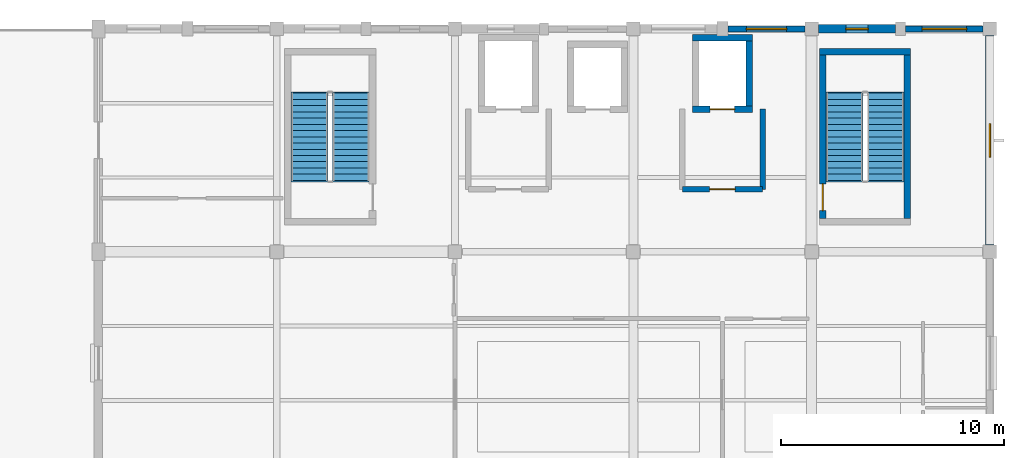
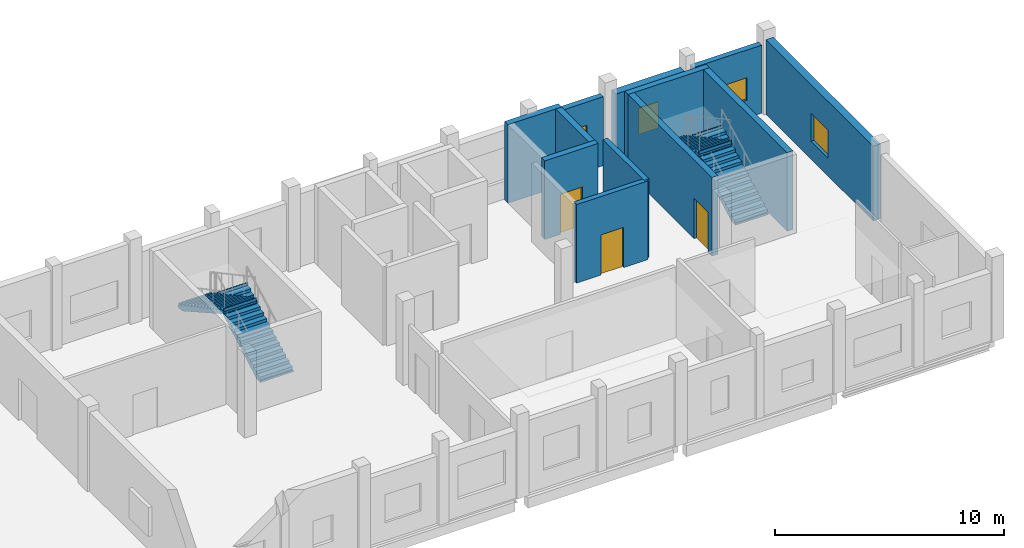
# One storey, part 4 of 6: 12 walls, 4 stair flights, 4 windows, 3 doors, 7 openings, 2 elements without a shape of their own.
"""IFC4 building model written with IfcOpenShell, lengths in metres."""

import ifcopenshell
import ifcopenshell.guid

model = None  # the IFC model being written
_history = None  # IfcOwnerHistory: only IFC2X3 demands one
_inside = {}  # id of a spatial element -> (the spatial element, [elements in it])
_under = {}  # id of a project, library or spatial element -> (it, [spatial elements below it])
_declared = {}  # id of a project -> (the project, [libraries it declares])
_typed = {}  # id of a type object -> (the type object, [elements of that type])
_made_of = {}  # id of a material, layer set ... -> (it, [elements and type objects made of it])


def new_model(schema):
    """Start an empty IFC model of exactly this schema.

    Asked for "IFC4X3", IfcOpenShell would pick the latest addendum, in which some entities
    have other attributes; the version numbers below select the first issue.
    IFC2X3 requires an IfcOwnerHistory on every rooted entity: one is made here for all.
    """
    global model, _history
    if schema == "IFC4X3":
        model = ifcopenshell.file(schema_version=(4, 3, 0, 0))
    else:
        model = ifcopenshell.file(schema=schema)
    _inside.clear()
    _under.clear()
    _declared.clear()
    _typed.clear()
    _made_of.clear()
    _history = None
    if model.schema == "IFC2X3":
        org = make("IfcOrganization", Name="unknown")
        user = make(
            "IfcPersonAndOrganization",
            ThePerson=make("IfcPerson", FamilyName="unknown"),
            TheOrganization=org,
        )
        app = make(
            "IfcApplication",
            ApplicationDeveloper=org,
            Version="unknown",
            ApplicationFullName="unknown",
            ApplicationIdentifier="unknown",
        )
        _history = make(
            "IfcOwnerHistory",
            OwningUser=user,
            OwningApplication=app,
            ChangeAction="ADDED",
            CreationDate=0,
        )
    return model


def make(cls, **values):
    """One entity of the class cls with the attributes given. An attribute that is None is left unset."""
    return model.create_entity(
        cls, **{name: value for name, value in values.items() if value is not None}
    )


def rooted(cls, **values):
    """An entity with a GlobalId (a new one), such as an element, a storey or a relation."""
    return make(cls, GlobalId=ifcopenshell.guid.new(), OwnerHistory=_history, **values)


def si_unit(unit_type, name, prefix=None):
    """IfcSIUnit, for example si_unit("LENGTHUNIT", "METRE", prefix="MILLI")."""
    return make("IfcSIUnit", UnitType=unit_type, Prefix=prefix, Name=name)


def assignment(units):
    """IfcUnitAssignment: the units of a project."""
    return None if units is None else make("IfcUnitAssignment", Units=units)


def point(xyz):
    """IfcCartesianPoint."""
    return None if xyz is None else make("IfcCartesianPoint", Coordinates=xyz)


def direction(xyz):
    """IfcDirection."""
    return None if xyz is None else make("IfcDirection", DirectionRatios=xyz)


def frame(location, z_axis=None, x_axis=None):
    """IfcAxis2Placement3D, a coordinate frame: its origin and axes. An axis left out is left unset."""
    return make(
        "IfcAxis2Placement3D",
        Location=point(location),
        Axis=direction(z_axis),
        RefDirection=direction(x_axis),
    )


def frame_2d(location, x_axis=None):
    """IfcAxis2Placement2D, a coordinate frame in the plane: its origin and x axis."""
    return make(
        "IfcAxis2Placement2D", Location=point(location), RefDirection=direction(x_axis)
    )


def origin():
    """The frame at (0, 0, 0) with its axes left unset."""
    return frame((0.0, 0.0, 0.0))


def place(relative_to, where):
    """IfcLocalPlacement: puts the frame where relative to a parent placement (None: the world)."""
    return make(
        "IfcLocalPlacement", PlacementRelTo=relative_to, RelativePlacement=where
    )


def context(
    kind, dimensions, precision=None, world=None, true_north=None, identifier=None
):
    """IfcGeometricRepresentationContext, for example the 3D "Model" context."""
    return make(
        "IfcGeometricRepresentationContext",
        ContextIdentifier=identifier,
        ContextType=kind,
        CoordinateSpaceDimension=dimensions,
        Precision=precision,
        WorldCoordinateSystem=world,
        TrueNorth=true_north,
    )


def subcontext(parent, identifier, kind, view, scale=None):
    """IfcGeometricRepresentationSubContext, for example "Body" below "Model"."""
    return make(
        "IfcGeometricRepresentationSubContext",
        ContextIdentifier=identifier,
        ContextType=kind,
        ParentContext=parent,
        TargetScale=scale,
        TargetView=view,
    )


def project(units=None, contexts=None):
    """IfcProject with its units and contexts."""
    return rooted(
        "IfcProject",
        Name="project",
        RepresentationContexts=contexts,
        UnitsInContext=assignment(units),
    )


def spatial(cls, under=None, at=None, **own):
    """A site, building, storey or space (cls), placed at a placement, below another one or the project."""
    s = rooted(cls, ObjectPlacement=at, **own)
    if under is not None:
        _under.setdefault(under.id(), (under, []))[1].append(s)
    return s


def polyline(points):
    """IfcPolyline through the points."""
    return make("IfcPolyline", Points=[point(p) for p in points])


def profile(cls, at=None, kind="AREA", **sizes):
    """A parametric profile (cls). Its sizes go by their IFC names, for example OverallWidth=200.0."""
    return make(cls, ProfileType=kind, Position=at, **sizes)


def rectangle(**sizes):
    """IfcRectangleProfileDef."""
    return profile("IfcRectangleProfileDef", **sizes)


def outline(outer, holes=None, kind="AREA"):
    """IfcArbitraryClosedProfileDef: a profile drawn as a closed curve; with holes, ...WithVoids."""
    if holes is None:
        return make("IfcArbitraryClosedProfileDef", ProfileType=kind, OuterCurve=outer)
    return make(
        "IfcArbitraryProfileDefWithVoids",
        ProfileType=kind,
        OuterCurve=outer,
        InnerCurves=holes,
    )


def extrude(swept, where, along, depth):
    """IfcExtrudedAreaSolid: the profile swept, set in the frame where, extruded along a direction by depth."""
    return make(
        "IfcExtrudedAreaSolid",
        SweptArea=swept,
        Position=where,
        ExtrudedDirection=direction(along),
        Depth=depth,
    )


def shape(context_of_items, identifier, shape_type, items):
    """IfcShapeRepresentation: the items that make up one representation, for example the "Body"."""
    return make(
        "IfcShapeRepresentation",
        ContextOfItems=context_of_items,
        RepresentationIdentifier=identifier,
        RepresentationType=shape_type,
        Items=items,
    )


def material(Name=None, Category=None):
    """IfcMaterial."""
    return make("IfcMaterial", Name=Name, Category=Category)


def layer(
    of_material, thickness, ventilated=None, Name=None, Category=None, Priority=None
):
    """IfcMaterialLayer: one layer of a wall or slab, of a material (None: an air gap)."""
    return make(
        "IfcMaterialLayer",
        Material=of_material,
        LayerThickness=thickness,
        IsVentilated=ventilated,
        Name=Name,
        Category=Category,
        Priority=Priority,
    )


def layer_set(layers, Name=None):
    """IfcMaterialLayerSet."""
    return make("IfcMaterialLayerSet", MaterialLayers=layers, LayerSetName=Name)


def made_of(thing, what):
    """Note that an element or type object is made of a material, layer set ...; save() writes the relation."""
    if what is not None:
        _made_of.setdefault(what.id(), (what, []))[1].append(thing)
    return thing


def type_object(cls, material=None, **own):
    """A type object (cls), such as IfcWallType, which elements share."""
    return made_of(rooted(cls, **own), material)


def element(
    cls,
    number,
    at=None,
    inside=None,
    cuts=None,
    type_object=None,
    material=None,
    context=None,
    identifier="Body",
    shape_type=None,
    held_by="IfcProductDefinitionShape",
    body=None,
    shapes=None,
    **own,
):
    """One element of the class cls, such as IfcWall. Its Tag is "e" and its number.

    at: its placement. inside: the storey or other place that contains it. cuts: it is an
    opening in that element (IfcRelVoidsElement). A single representation is given by context,
    identifier, shape_type and body (its items); several are given by shapes. held_by: the class
    of the entity that holds the representations. save() writes the other relations.
    """
    e = rooted(cls, Tag="e%d" % number, ObjectPlacement=at, **own)
    if body is not None:
        shapes = [shape(context, identifier, shape_type, body)]
    if shapes is not None:
        e.Representation = make(held_by, Representations=shapes)
    if inside is not None:
        _inside.setdefault(inside.id(), (inside, []))[1].append(e)
    if cuts is not None:
        rooted(
            "IfcRelVoidsElement", RelatingBuildingElement=cuts, RelatedOpeningElement=e
        )
    if type_object is not None:
        _typed.setdefault(type_object.id(), (type_object, []))[1].append(e)
    return made_of(e, material)


def fill(opening, filler):
    """IfcRelFillsElement: the door or window that sits in an opening."""
    return rooted(
        "IfcRelFillsElement",
        RelatingOpeningElement=opening,
        RelatedBuildingElement=filler,
    )


def aggregate(whole, parts):
    """IfcRelAggregates: a whole, such as a stair, and the parts it consists of."""
    return rooted("IfcRelAggregates", RelatingObject=whole, RelatedObjects=parts)


def save(model, path):
    """Write the relations noted so far, then the file.

    IfcRelAggregates (storeys below a building ...), IfcRelContainedInSpatialStructure (elements
    in a storey), IfcRelDefinesByType, IfcRelAssociatesMaterial and IfcRelDeclares: one each for
    every whole, place, type object, material and project.
    """
    for whole, parts in _under.values():
        aggregate(whole, parts)
    for where, things in _inside.values():
        rooted(
            "IfcRelContainedInSpatialStructure",
            RelatedElements=things,
            RelatingStructure=where,
        )
    for kind, things in _typed.values():
        rooted("IfcRelDefinesByType", RelatedObjects=things, RelatingType=kind)
    for what, things in _made_of.values():
        rooted("IfcRelAssociatesMaterial", RelatedObjects=things, RelatingMaterial=what)
    for by, libraries in _declared.values():
        rooted("IfcRelDeclares", RelatingContext=by, RelatedDefinitions=libraries)
    model.write(path)


model = new_model("IFC4")

# Units and contexts
model_context = context("Model", 3, precision=1e-05, world=origin(), true_north=direction((0.0, 1.0)))
body_context = subcontext(model_context, "Body", "Model", "MODEL_VIEW")
ifc_project = project(units=[si_unit("LENGTHUNIT", "METRE"), si_unit("AREAUNIT", "SQUARE_METRE"), si_unit("VOLUMEUNIT", "CUBIC_METRE"), si_unit("PLANEANGLEUNIT", "RADIAN"), si_unit("MASSUNIT", "GRAM", prefix="KILO")], contexts=[model_context])

# Site, building, storey
site_placement = place(None, origin())
site = spatial("IfcSite", under=ifc_project, at=site_placement, CompositionType="ELEMENT")
building_placement = place(site_placement, origin())
building = spatial("IfcBuilding", under=site, at=building_placement, Name="Luwemba Playhouse", CompositionType="ELEMENT")
storey_placement = place(building_placement, frame((0.0, 0.0, 18.300048828125)))
storey = spatial("IfcBuildingStorey", under=building, at=storey_placement, Name="L04", CompositionType="ELEMENT", Elevation=18.300048828125)

# Wall, opening, window
ifc_material_1 = material(Name="Clay facing brick obra vista masonry", Category="masonry")
ifc_layer_1 = layer(ifc_material_1, 0.3798828125)
ifc_layer_set_1 = layer_set([ifc_layer_1], Name="Clay facing brick obra vista masonry")
wall_type_1 = type_object("IfcWallType", Name="WAL-BRK-380", PredefinedType="SOLIDWALL", material=ifc_layer_set_1)
wall_1_placement = place(storey_placement, frame((164.300048828125, 115.0, 0.0), z_axis=(0.0, 0.0, 1.0), x_axis=(1.0, 0.0, 0.0)))
wall_1 = element("IfcWall", 1, at=wall_1_placement, inside=storey, type_object=wall_type_1, Name="L04 V6E exterior facade wall 0486", PredefinedType="SOLIDWALL", context=body_context, shape_type="SweptSolid", body=[
    extrude(rectangle(XDim=3.474853515625, YDim=0.3798828125, at=frame_2d((1.7373046875, 0.0))), origin(), (0.0, 0.0, 1.0), 3.635009765625),
])
opening_1_placement = place(wall_1_placement, frame((1.237548828125, 0.0, 0.949951171875)))
opening_1 = element("IfcOpeningElement", 2, at=opening_1_placement, cuts=wall_1, Name="Opening WN-13", PredefinedType="OPENING", context=body_context, shape_type="SweptSolid", body=[
    extrude(rectangle(XDim=1.0, YDim=1.39990234375, at=frame_2d((0.5, 0.699951171875))), frame((0.0, 0.199951171875, 0.0), z_axis=(0.0, -1.0, 0.0), x_axis=(1.0, 0.0, 0.0)), (0.0, 0.0, 1.0), 0.39990234375),
])
ifc_material_2 = material(Name="Solar-control double glazing in aluminium frame", Category="aluminium")
window_type_1 = type_object("IfcWindowType", Name="WIN-WN-13", PartitioningType="SINGLE_PANEL", PredefinedType="WINDOW", material=ifc_material_2)
window_1_placement = place(opening_1_placement, origin())
window_1 = element("IfcWindow", 3, at=window_1_placement, inside=storey, type_object=window_type_1, Name="L04 V6E scheduled window 0425", OverallHeight=1.39990234375, OverallWidth=1.0, PartitioningType="SINGLE_PANEL", PredefinedType="WINDOW", context=body_context, shape_type="SweptSolid", body=[
    extrude(rectangle(XDim=1.0, YDim=1.39990234375, at=frame_2d((0.5, 0.699951171875))), frame((0.0, 0.030029296875, 0.0), z_axis=(0.0, -1.0, 0.0), x_axis=(1.0, 0.0, 0.0)), (0.0, 0.0, 1.0), 0.06005859375),
])
fill(opening_1, window_1)

wall_2_placement = place(storey_placement, frame((172.0, 114.699951171875, 0.0), z_axis=(0.0, 0.0, 1.0), x_axis=(0.0, -1.0, 0.0)))
wall_2 = element("IfcWall", 4, at=wall_2_placement, inside=storey, type_object=wall_type_1, Name="L04 V6E exterior facade wall 0488", PredefinedType="SOLIDWALL", context=body_context, shape_type="SweptSolid", body=[
    extrude(rectangle(XDim=9.39990234375, YDim=0.3798828125, at=frame_2d((4.699951171875, 0.0))), origin(), (0.0, 0.0, 1.0), 3.98486328125),
])
opening_2_placement = place(wall_2_placement, frame((3.949951171875, 0.0, 0.949951171875)))
opening_2 = element("IfcOpeningElement", 5, at=opening_2_placement, cuts=wall_2, Name="Opening WN-09", PredefinedType="OPENING", context=body_context, shape_type="SweptSolid", body=[
    extrude(rectangle(XDim=1.5, YDim=1.5, at=frame_2d((0.75, 0.75))), frame((0.0, 0.199951171875, 0.0), z_axis=(0.0, -1.0, 0.0), x_axis=(1.0, 0.0, 0.0)), (0.0, 0.0, 1.0), 0.39990234375),
])
window_type_2 = type_object("IfcWindowType", Name="WIN-WN-09", PartitioningType="DOUBLE_PANEL_VERTICAL", PredefinedType="WINDOW", material=ifc_material_2)
window_2_placement = place(opening_2_placement, origin())
window_2 = element("IfcWindow", 6, at=window_2_placement, inside=storey, type_object=window_type_2, Name="L04 V6E scheduled window 0427", OverallHeight=1.5, OverallWidth=1.5, PartitioningType="DOUBLE_PANEL_VERTICAL", PredefinedType="WINDOW", context=body_context, shape_type="SweptSolid", body=[
    extrude(rectangle(XDim=1.5, YDim=1.5, at=frame_2d((0.75, 0.75))), frame((0.0, 0.030029296875, 0.0), z_axis=(0.0, -1.0, 0.0), x_axis=(1.0, 0.0, 0.0)), (0.0, 0.0, 1.0), 0.06005859375),
])
fill(opening_2, window_2)

# Wall
ifc_material_3 = material(Name="Concrete C40/50", Category="concrete")
ifc_layer_2 = layer(ifc_material_3, 0.300048828125)
ifc_layer_set_2 = layer_set([ifc_layer_2], Name="Concrete C40/50")
wall_type_2 = type_object("IfcWallType", Name="WAL-CORE-300", PredefinedType="SHEAR", material=ifc_layer_set_2)
wall_3_placement = place(storey_placement, frame((168.449951171875, 113.969970703125, 0.0), z_axis=(0.0, 0.0, 1.0), x_axis=(-1.0, 0.0, 0.0)))
element("IfcWall", 7, at=wall_3_placement, inside=storey, type_object=wall_type_2, Name="L04 ST-10 stair core wall N", PredefinedType="SHEAR", context=body_context, shape_type="SweptSolid", body=[
    extrude(rectangle(XDim=4.099853515625, YDim=0.300048828125, at=frame_2d((2.0498046875, 0.0))), origin(), (0.0, 0.0, 1.0), 4.199951171875),
])

# Wall, opening, door
wall_4_placement = place(storey_placement, frame((164.5, 113.820068359375, 0.0), z_axis=(0.0, 0.0, 1.0), x_axis=(0.0, -1.0, 0.0)))
wall_4 = element("IfcWall", 8, at=wall_4_placement, inside=storey, type_object=wall_type_2, Name="L04 ST-10 stair core wall W", PredefinedType="SHEAR", context=body_context, shape_type="SweptSolid", body=[
    extrude(rectangle(XDim=7.320068359375, YDim=0.300048828125, at=frame_2d((3.66015625, 0.0))), origin(), (0.0, 0.0, 1.0), 4.199951171875),
])
opening_3_placement = place(wall_4_placement, frame((5.77001953125, 0.0, 0.0)))
opening_3 = element("IfcOpeningElement", 9, at=opening_3_placement, cuts=wall_4, Name="Opening D-STAIR3", PredefinedType="OPENING", context=body_context, shape_type="SweptSolid", body=[
    extrude(rectangle(XDim=1.199951171875, YDim=2.14990234375, at=frame_2d((0.60009765625, 1.074951171875))), frame((0.0, 0.159912109375, 0.0), z_axis=(0.0, -1.0, 0.0), x_axis=(1.0, 0.0, 0.0)), (0.0, 0.0, 1.0), 0.320068359375),
])
ifc_material_4 = material(Name="Hardwood acoustic fire door leaf", Category="wood")
door_type_1 = type_object("IfcDoorType", Name="DR-STAIR-120", OperationType="NOTDEFINED", PredefinedType="DOOR", material=ifc_material_4)
door_1_placement = place(opening_3_placement, origin())
door_1 = element("IfcDoor", 10, at=door_1_placement, inside=storey, type_object=door_type_1, Name="L04 ST-10 protected stair entry door", OperationType="SINGLE_SWING_RIGHT", OverallHeight=2.14990234375, OverallWidth=1.199951171875, PredefinedType="DOOR", context=body_context, shape_type="SweptSolid", body=[
    extrude(rectangle(XDim=1.199951171875, YDim=2.14990234375, at=frame_2d((0.60009765625, 1.074951171875))), frame((0.0, 0.02490234375, 0.0), z_axis=(0.0, -1.0, 0.0), x_axis=(1.0, 0.0, 0.0)), (0.0, 0.0, 1.0), 0.050048828125),
])
fill(opening_3, door_1)

# Wall
wall_5_placement = place(storey_placement, frame((168.300048828125, 113.820068359375, 0.0), z_axis=(0.0, 0.0, 1.0), x_axis=(0.0, -1.0, 0.0)))
element("IfcWall", 11, at=wall_5_placement, inside=storey, type_object=wall_type_2, Name="L04 ST-10 stair core wall E", PredefinedType="SHEAR", context=body_context, shape_type="SweptSolid", body=[
    extrude(rectangle(XDim=7.320068359375, YDim=0.300048828125, at=frame_2d((3.66015625, 0.0))), origin(), (0.0, 0.0, 1.0), 4.199951171875),
])

# Wall, opening, door
wall_6_placement = place(storey_placement, frame((158.64990234375, 111.39990234375, 0.0), z_axis=(0.0, 0.0, 1.0), x_axis=(1.0, 0.0, 0.0)))
wall_6 = element("IfcWall", 12, at=wall_6_placement, inside=storey, type_object=wall_type_2, Name="L04 Lift LF-FF2 shaft wall S", PredefinedType="SHEAR", context=body_context, shape_type="SweptSolid", body=[
    extrude(rectangle(XDim=2.7001953125, YDim=0.300048828125, at=frame_2d((1.35009765625, 0.0))), origin(), (0.0, 0.0, 1.0), 4.199951171875),
])
opening_4_placement = place(wall_6_placement, frame((0.800048828125, 0.0, 0.0)))
opening_4 = element("IfcOpeningElement", 13, at=opening_4_placement, cuts=wall_6, Name="Opening LD-01", PredefinedType="OPENING", context=body_context, shape_type="SweptSolid", body=[
    extrude(rectangle(XDim=1.10009765625, YDim=2.14990234375, at=frame_2d((0.550048828125, 1.074951171875))), frame((0.0, 0.159912109375, 0.0), z_axis=(0.0, -1.0, 0.0), x_axis=(1.0, 0.0, 0.0)), (0.0, 0.0, 1.0), 0.320068359375),
])
ifc_material_5 = material(Name="Stainless steel lift landing doors", Category="steel")
door_type_2 = type_object("IfcDoorType", Name="DR-LIFT-110", OperationType="NOTDEFINED", PredefinedType="DOOR", material=ifc_material_5)
door_2_placement = place(opening_4_placement, origin())
door_2 = element("IfcDoor", 14, at=door_2_placement, inside=storey, type_object=door_type_2, Name="L04 Lift LF-FF2 landing door", OperationType="DOUBLE_DOOR_SLIDING", OverallHeight=2.14990234375, OverallWidth=1.10009765625, PredefinedType="DOOR", context=body_context, shape_type="SweptSolid", body=[
    extrude(rectangle(XDim=1.10009765625, YDim=2.14990234375, at=frame_2d((0.550048828125, 1.074951171875))), frame((0.0, 0.02490234375, 0.0), z_axis=(0.0, -1.0, 0.0), x_axis=(1.0, 0.0, 0.0)), (0.0, 0.0, 1.0), 0.050048828125),
])
fill(opening_4, door_2)

# Walls
wall_7_placement = place(storey_placement, frame((161.35009765625, 114.60009765625, 0.0), z_axis=(0.0, 0.0, 1.0), x_axis=(-1.0, 0.0, 0.0)))
element("IfcWall", 15, at=wall_7_placement, inside=storey, type_object=wall_type_2, Name="L04 Lift LF-FF2 shaft wall N", PredefinedType="SHEAR", context=body_context, shape_type="SweptSolid", body=[
    extrude(rectangle(XDim=2.7001953125, YDim=0.300048828125, at=frame_2d((1.35009765625, 0.0))), origin(), (0.0, 0.0, 1.0), 4.199951171875),
])
wall_8_placement = place(storey_placement, frame((161.199951171875, 114.449951171875, 0.0), z_axis=(0.0, 0.0, 1.0), x_axis=(0.0, -1.0, 0.0)))
element("IfcWall", 16, at=wall_8_placement, inside=storey, type_object=wall_type_2, Name="L04 Lift LF-FF2 shaft wall E", PredefinedType="SHEAR", context=body_context, shape_type="SweptSolid", body=[
    extrude(rectangle(XDim=2.89990234375, YDim=0.300048828125, at=frame_2d((1.449951171875, 0.0))), origin(), (0.0, 0.0, 1.0), 4.199951171875),
])

# Wall, opening, door
ifc_layer_3 = layer(ifc_material_3, 0.25)
ifc_layer_set_3 = layer_set([ifc_layer_3], Name="Concrete C40/50")
wall_type_3 = type_object("IfcWallType", Name="WAL-FFL-250", PredefinedType="SOLIDWALL", material=ifc_layer_set_3)
wall_9_placement = place(storey_placement, frame((161.800048828125, 107.800048828125, 0.0), z_axis=(0.0, 0.0, 1.0), x_axis=(-1.0, 0.0, 0.0)))
wall_9 = element("IfcWall", 17, at=wall_9_placement, inside=storey, type_object=wall_type_3, Name="L04 LF-FF2 firefighting lift lobby wall S", PredefinedType="SOLIDWALL", context=body_context, shape_type="SweptSolid", body=[
    extrude(rectangle(XDim=3.60009765625, YDim=0.25, at=frame_2d((1.800048828125, 0.0))), origin(), (0.0, 0.0, 1.0), 4.199951171875),
])
opening_5_placement = place(wall_9_placement, frame((1.22509765625, 0.0, 0.0)))
opening_5 = element("IfcOpeningElement", 18, at=opening_5_placement, cuts=wall_9, Name="Opening D-FD60", PredefinedType="OPENING", context=body_context, shape_type="SweptSolid", body=[
    extrude(rectangle(XDim=1.14990234375, YDim=2.14990234375, at=frame_2d((0.574951171875, 1.074951171875))), frame((0.0, 0.135009765625, 0.0), z_axis=(0.0, -1.0, 0.0), x_axis=(1.0, 0.0, 0.0)), (0.0, 0.0, 1.0), 0.27001953125),
])
ifc_material_6 = material(Name="Hardwood smoke-sealed fire door leaf", Category="wood")
door_type_3 = type_object("IfcDoorType", Name="DR-FFL-115", OperationType="NOTDEFINED", PredefinedType="DOOR", material=ifc_material_6)
door_3_placement = place(opening_5_placement, origin())
door_3 = element("IfcDoor", 19, at=door_3_placement, inside=storey, type_object=door_type_3, Name="L04 LF-FF2 firefighting lobby smoke door", OperationType="SINGLE_SWING_LEFT", OverallHeight=2.14990234375, OverallWidth=1.14990234375, PredefinedType="DOOR", context=body_context, shape_type="SweptSolid", body=[
    extrude(rectangle(XDim=1.14990234375, YDim=2.14990234375, at=frame_2d((0.574951171875, 1.074951171875))), frame((0.0, 0.02490234375, 0.0), z_axis=(0.0, -1.0, 0.0), x_axis=(1.0, 0.0, 0.0)), (0.0, 0.0, 1.0), 0.050048828125),
])
fill(opening_5, door_3)

# Wall
wall_10_placement = place(storey_placement, frame((161.800048828125, 111.39990234375, 0.0), z_axis=(0.0, 0.0, 1.0), x_axis=(0.0, -1.0, 0.0)))
element("IfcWall", 20, at=wall_10_placement, inside=storey, type_object=wall_type_3, Name="L04 LF-FF2 firefighting lift lobby wall E", PredefinedType="SOLIDWALL", context=body_context, shape_type="SweptSolid", body=[
    extrude(rectangle(XDim=3.599853515625, YDim=0.25, at=frame_2d((1.7998046875, 0.0))), origin(), (0.0, 0.0, 1.0), 4.199951171875),
])

# Wall, opening, window
ifc_material_7 = material(Name="Structural timber GL24h infill", Category="wood")
ifc_layer_4 = layer(ifc_material_7, 0.280029296875)
ifc_layer_set_4 = layer_set([ifc_layer_4], Name="Structural timber GL24h infill")
wall_type_4 = type_object("IfcWallType", Name="WAL-TIM-280", PredefinedType="SOLIDWALL", material=ifc_layer_set_4)
wall_11_placement = place(storey_placement, frame((160.25, 115.0, 0.0), z_axis=(0.0, 0.0, 1.0), x_axis=(1.0, 0.0, 0.0)))
wall_11 = element("IfcWall", 21, at=wall_11_placement, inside=storey, type_object=wall_type_4, Name="L04 V6E exterior facade wall 0485", PredefinedType="SOLIDWALL", context=body_context, shape_type="SweptSolid", body=[
    extrude(rectangle(XDim=3.449951171875, YDim=0.280029296875, at=frame_2d((1.72509765625, 0.0))), origin(), (0.0, 0.0, 1.0), 3.68505859375),
])
opening_6_placement = place(wall_11_placement, frame((0.824951171875, 0.0, 0.949951171875)))
opening_6 = element("IfcOpeningElement", 22, at=opening_6_placement, cuts=wall_11, Name="Opening WN-10", PredefinedType="OPENING", context=body_context, shape_type="SweptSolid", body=[
    extrude(rectangle(XDim=1.800048828125, YDim=1.5, at=frame_2d((0.89990234375, 0.75))), frame((0.0, 0.14990234375, 0.0), z_axis=(0.0, -1.0, 0.0), x_axis=(1.0, 0.0, 0.0)), (0.0, 0.0, 1.0), 0.300048828125),
])
window_type_3 = type_object("IfcWindowType", Name="WIN-WN-10", PartitioningType="DOUBLE_PANEL_VERTICAL", PredefinedType="WINDOW", material=ifc_material_2)
window_3_placement = place(opening_6_placement, origin())
window_3 = element("IfcWindow", 23, at=window_3_placement, inside=storey, type_object=window_type_3, Name="L04 V6E scheduled window 0424", OverallHeight=1.5, OverallWidth=1.800048828125, PartitioningType="DOUBLE_PANEL_VERTICAL", PredefinedType="WINDOW", context=body_context, shape_type="SweptSolid", body=[
    extrude(rectangle(XDim=1.800048828125, YDim=1.5, at=frame_2d((0.89990234375, 0.75))), frame((0.0, 0.030029296875, 0.0), z_axis=(0.0, -1.0, 0.0), x_axis=(1.0, 0.0, 0.0)), (0.0, 0.0, 1.0), 0.06005859375),
])
fill(opening_6, window_3)

wall_12_placement = place(storey_placement, frame((168.22509765625, 115.0, 0.0), z_axis=(0.0, 0.0, 1.0), x_axis=(1.0, 0.0, 0.0)))
wall_12 = element("IfcWall", 24, at=wall_12_placement, inside=storey, type_object=wall_type_4, Name="L04 V6E exterior facade wall 0487", PredefinedType="SOLIDWALL", context=body_context, shape_type="SweptSolid", body=[
    extrude(rectangle(XDim=3.474853515625, YDim=0.280029296875, at=frame_2d((1.7373046875, 0.0))), origin(), (0.0, 0.0, 1.0), 3.635009765625),
])
opening_7_placement = place(wall_12_placement, frame((0.737548828125, 0.0, 0.949951171875)))
opening_7 = element("IfcOpeningElement", 25, at=opening_7_placement, cuts=wall_12, Name="Opening WN-16", PredefinedType="OPENING", context=body_context, shape_type="SweptSolid", body=[
    extrude(rectangle(XDim=2.0, YDim=1.199951171875, at=frame_2d((1.0, 0.60009765625))), frame((0.0, 0.14990234375, 0.0), z_axis=(0.0, -1.0, 0.0), x_axis=(1.0, 0.0, 0.0)), (0.0, 0.0, 1.0), 0.300048828125),
])
window_type_4 = type_object("IfcWindowType", Name="WIN-WN-16", PartitioningType="DOUBLE_PANEL_HORIZONTAL", PredefinedType="WINDOW", material=ifc_material_2)
window_4_placement = place(opening_7_placement, origin())
window_4 = element("IfcWindow", 26, at=window_4_placement, inside=storey, type_object=window_type_4, Name="L04 V6E scheduled window 0426", OverallHeight=1.199951171875, OverallWidth=2.0, PartitioningType="DOUBLE_PANEL_HORIZONTAL", PredefinedType="WINDOW", context=body_context, shape_type="SweptSolid", body=[
    extrude(rectangle(XDim=2.0, YDim=1.199951171875, at=frame_2d((1.0, 0.60009765625))), frame((0.0, 0.030029296875, 0.0), z_axis=(0.0, -1.0, 0.0), x_axis=(1.0, 0.0, 0.0)), (0.0, 0.0, 1.0), 0.06005859375),
])
fill(opening_7, window_4)

# Stair, stair flights
stair_type = type_object("IfcStairType", Name="STR-DL-04", PredefinedType="HALF_TURN_STAIR", material=ifc_material_3)
stair_1_placement = place(storey_placement, origin())
stair_1 = element("IfcStair", 27, at=stair_1_placement, inside=storey, type_object=stair_type, Name="L04 Conservatory Firefighting Escape Stair", PredefinedType="HALF_TURN_STAIR")
stair_flight_type = type_object("IfcStairFlightType", Name="SFL-DL-04", PredefinedType="STRAIGHT", material=ifc_material_3)
stair_flight_1_placement = place(storey_placement, frame((143.324951171875, 108.199951171875, 0.0), z_axis=(0.0, 0.0, 1.0), x_axis=(0.0, 1.0, 0.0)))
stair_flight_1 = element("IfcStairFlight", 28, at=stair_flight_1_placement, type_object=stair_flight_type, Name="ST-09 flight 1", NumberOfRisers=15, NumberOfTreads=14, PredefinedType="STRAIGHT", RiserHeight=0.15, TreadLength=0.28, context=body_context, shape_type="SweptSolid", body=[
    extrude(outline(polyline([(-0.06005859375, -0.10009765625), (-0.06005859375, 0.0), (0.0, 0.0), (0.0, 0.14990234375), (0.280029296875, 0.14990234375), (0.280029296875, 0.300048828125), (0.56005859375, 0.300048828125), (0.56005859375, 0.449951171875), (0.840087890625, 0.449951171875), (0.840087890625, 0.60009765625), (1.1201171875, 0.60009765625), (1.1201171875, 0.75), (1.39990234375, 0.75), (1.39990234375, 0.89990234375), (1.679931640625, 0.89990234375), (1.679931640625, 1.050048828125), (1.9599609375, 1.050048828125), (1.9599609375, 1.199951171875), (2.239990234375, 1.199951171875), (2.239990234375, 1.35009765625), (2.52001953125, 1.35009765625), (2.52001953125, 1.5), (2.800048828125, 1.5), (2.800048828125, 1.64990234375), (3.080078125, 1.64990234375), (3.080078125, 1.800048828125), (3.360107421875, 1.800048828125), (3.360107421875, 1.949951171875), (3.639892578125, 1.949951171875), (3.639892578125, 2.10009765625), (3.919921875, 2.10009765625), (3.919921875, 2.25), (3.97998046875, 2.25), (3.97998046875, 2.090087890625), (3.919921875, 1.929931640625), (0.3173828125, -0.10009765625), (-0.06005859375, -0.10009765625)])), frame((0.0, 0.824951171875, 0.0), z_axis=(0.0, -1.0, 0.0), x_axis=(1.0, 0.0, 0.0)), (0.0, 0.0, 1.0), 1.64990234375),
])
stair_flight_2_placement = place(storey_placement, frame((141.47509765625, 112.1201171875, 2.25), z_axis=(0.0, 0.0, 1.0), x_axis=(0.0, -1.0, 0.0)))
stair_flight_2 = element("IfcStairFlight", 29, at=stair_flight_2_placement, type_object=stair_flight_type, Name="ST-09 flight 2", NumberOfRisers=15, NumberOfTreads=14, PredefinedType="STRAIGHT", RiserHeight=0.15, TreadLength=0.28, context=body_context, shape_type="SweptSolid", body=[
    extrude(outline(polyline([(-0.06005859375, -0.10009765625), (-0.06005859375, 0.0), (0.0, 0.0), (0.0, 0.14990234375), (0.280029296875, 0.14990234375), (0.280029296875, 0.300048828125), (0.56005859375, 0.300048828125), (0.56005859375, 0.449951171875), (0.840087890625, 0.449951171875), (0.840087890625, 0.60009765625), (1.1201171875, 0.60009765625), (1.1201171875, 0.75), (1.39990234375, 0.75), (1.39990234375, 0.89990234375), (1.679931640625, 0.89990234375), (1.679931640625, 1.050048828125), (1.9599609375, 1.050048828125), (1.9599609375, 1.199951171875), (2.239990234375, 1.199951171875), (2.239990234375, 1.35009765625), (2.52001953125, 1.35009765625), (2.52001953125, 1.5), (2.800048828125, 1.5), (2.800048828125, 1.64990234375), (3.080078125, 1.64990234375), (3.080078125, 1.800048828125), (3.360107421875, 1.800048828125), (3.360107421875, 1.949951171875), (3.639892578125, 1.949951171875), (3.639892578125, 2.10009765625), (3.919921875, 2.10009765625), (3.919921875, 2.25), (3.97998046875, 2.25), (3.97998046875, 2.090087890625), (3.919921875, 1.929931640625), (0.3173828125, -0.10009765625), (-0.06005859375, -0.10009765625)])), frame((0.0, 0.824951171875, 0.0), z_axis=(0.0, -1.0, 0.0), x_axis=(1.0, 0.0, 0.0)), (0.0, 0.0, 1.0), 1.64990234375),
])
aggregate(stair_1, [stair_flight_1, stair_flight_2])

stair_2_placement = place(storey_placement, origin())
stair_2 = element("IfcStair", 30, at=stair_2_placement, inside=storey, type_object=stair_type, Name="L04 Conservatory East Escape Stair", PredefinedType="HALF_TURN_STAIR")
stair_flight_3_placement = place(storey_placement, frame((167.324951171875, 108.199951171875, 0.0), z_axis=(0.0, 0.0, 1.0), x_axis=(0.0, 1.0, 0.0)))
stair_flight_3 = element("IfcStairFlight", 31, at=stair_flight_3_placement, type_object=stair_flight_type, Name="ST-10 flight 1", NumberOfRisers=15, NumberOfTreads=14, PredefinedType="STRAIGHT", RiserHeight=0.15, TreadLength=0.28, context=body_context, shape_type="SweptSolid", body=[
    extrude(outline(polyline([(-0.06005859375, -0.10009765625), (-0.06005859375, 0.0), (0.0, 0.0), (0.0, 0.14990234375), (0.280029296875, 0.14990234375), (0.280029296875, 0.300048828125), (0.56005859375, 0.300048828125), (0.56005859375, 0.449951171875), (0.840087890625, 0.449951171875), (0.840087890625, 0.60009765625), (1.1201171875, 0.60009765625), (1.1201171875, 0.75), (1.39990234375, 0.75), (1.39990234375, 0.89990234375), (1.679931640625, 0.89990234375), (1.679931640625, 1.050048828125), (1.9599609375, 1.050048828125), (1.9599609375, 1.199951171875), (2.239990234375, 1.199951171875), (2.239990234375, 1.35009765625), (2.52001953125, 1.35009765625), (2.52001953125, 1.5), (2.800048828125, 1.5), (2.800048828125, 1.64990234375), (3.080078125, 1.64990234375), (3.080078125, 1.800048828125), (3.360107421875, 1.800048828125), (3.360107421875, 1.949951171875), (3.639892578125, 1.949951171875), (3.639892578125, 2.10009765625), (3.919921875, 2.10009765625), (3.919921875, 2.25), (3.97998046875, 2.25), (3.97998046875, 2.090087890625), (3.919921875, 1.929931640625), (0.3173828125, -0.10009765625), (-0.06005859375, -0.10009765625)])), frame((0.0, 0.824951171875, 0.0), z_axis=(0.0, -1.0, 0.0), x_axis=(1.0, 0.0, 0.0)), (0.0, 0.0, 1.0), 1.64990234375),
])
stair_flight_4_placement = place(storey_placement, frame((165.47509765625, 112.1201171875, 2.25), z_axis=(0.0, 0.0, 1.0), x_axis=(0.0, -1.0, 0.0)))
stair_flight_4 = element("IfcStairFlight", 32, at=stair_flight_4_placement, type_object=stair_flight_type, Name="ST-10 flight 2", NumberOfRisers=15, NumberOfTreads=14, PredefinedType="STRAIGHT", RiserHeight=0.15, TreadLength=0.28, context=body_context, shape_type="SweptSolid", body=[
    extrude(outline(polyline([(-0.06005859375, -0.10009765625), (-0.06005859375, 0.0), (0.0, 0.0), (0.0, 0.14990234375), (0.280029296875, 0.14990234375), (0.280029296875, 0.300048828125), (0.56005859375, 0.300048828125), (0.56005859375, 0.449951171875), (0.840087890625, 0.449951171875), (0.840087890625, 0.60009765625), (1.1201171875, 0.60009765625), (1.1201171875, 0.75), (1.39990234375, 0.75), (1.39990234375, 0.89990234375), (1.679931640625, 0.89990234375), (1.679931640625, 1.050048828125), (1.9599609375, 1.050048828125), (1.9599609375, 1.199951171875), (2.239990234375, 1.199951171875), (2.239990234375, 1.35009765625), (2.52001953125, 1.35009765625), (2.52001953125, 1.5), (2.800048828125, 1.5), (2.800048828125, 1.64990234375), (3.080078125, 1.64990234375), (3.080078125, 1.800048828125), (3.360107421875, 1.800048828125), (3.360107421875, 1.949951171875), (3.639892578125, 1.949951171875), (3.639892578125, 2.10009765625), (3.919921875, 2.10009765625), (3.919921875, 2.25), (3.97998046875, 2.25), (3.97998046875, 2.090087890625), (3.919921875, 1.929931640625), (0.3173828125, -0.10009765625), (-0.06005859375, -0.10009765625)])), frame((0.0, 0.824951171875, 0.0), z_axis=(0.0, -1.0, 0.0), x_axis=(1.0, 0.0, 0.0)), (0.0, 0.0, 1.0), 1.64990234375),
])
aggregate(stair_2, [stair_flight_3, stair_flight_4])

save(model, "model.ifc")
